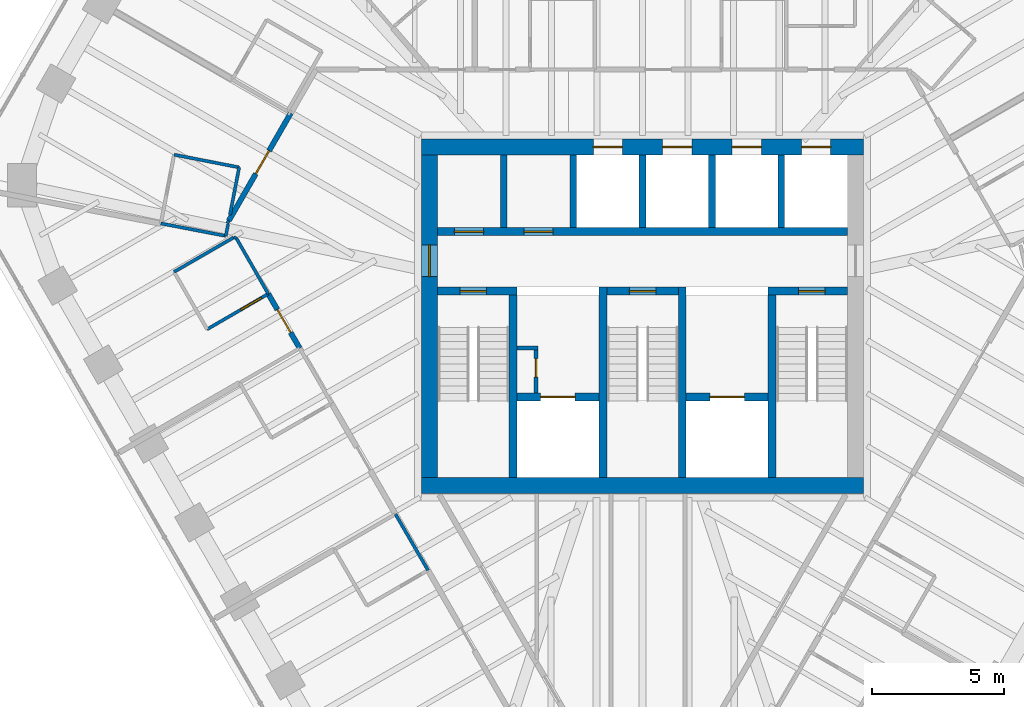
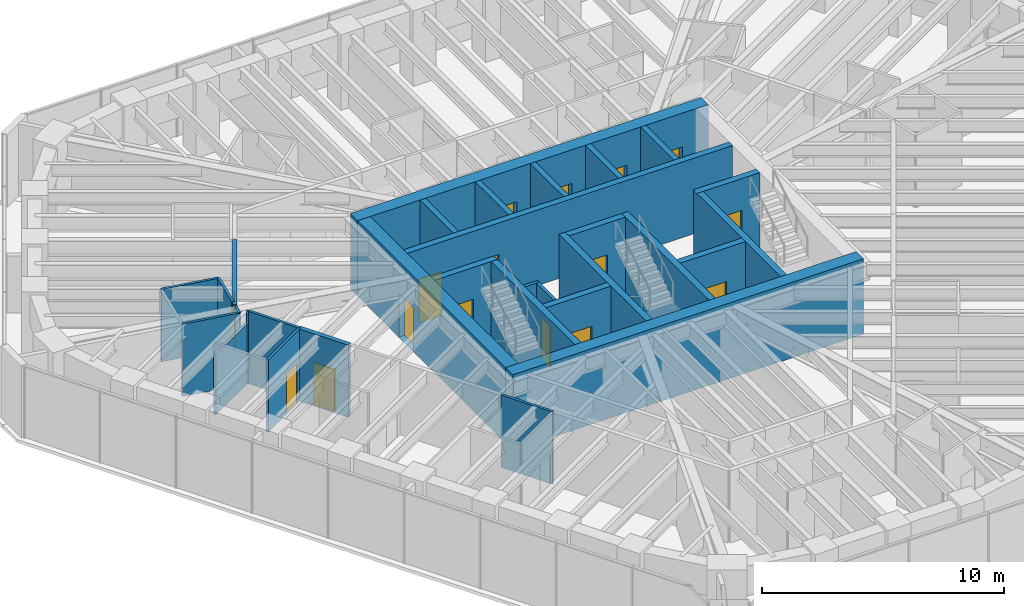
# One storey, part 10 of 14: 32 walls, 16 doors, 16 openings.
"""IFC4 building model written with IfcOpenShell, lengths in metres."""

from ifc_helpers import new_model, si_unit, direction, frame, frame_2d, origin, place, context, subcontext, project, spatial, rectangle, extrude, material, layer, layer_set, type_object, element, fill, save


model = new_model("IFC4")

# Units and contexts
model_context = context("Model", 3, precision=1e-05, world=origin(), true_north=direction((0.0, 1.0)))
body_context = subcontext(model_context, "Body", "Model", "MODEL_VIEW")
ifc_project = project(units=[si_unit("LENGTHUNIT", "METRE"), si_unit("AREAUNIT", "SQUARE_METRE"), si_unit("VOLUMEUNIT", "CUBIC_METRE"), si_unit("PLANEANGLEUNIT", "RADIAN"), si_unit("MASSUNIT", "GRAM", prefix="KILO")], contexts=[model_context])

# Site, building, storey
site_placement = place(None, origin())
site = spatial("IfcSite", under=ifc_project, at=site_placement, CompositionType="ELEMENT")
building_placement = place(site_placement, origin())
building = spatial("IfcBuilding", under=site, at=building_placement, Name="Sandreach Pilgrim Tower", CompositionType="ELEMENT")
storey_placement = place(building_placement, frame((0.0, 0.0, 279.800048828125)))
storey = spatial("IfcBuildingStorey", under=building, at=storey_placement, Name="L70", CompositionType="ELEMENT", Elevation=279.800048828125)

# Wall
ifc_material_1 = material(Name="Moisture-resistant gypsum board on steel studs", Category="steel")
ifc_layer_1 = layer(ifc_material_1, 0.1201171875)
ifc_layer_set_1 = layer_set([ifc_layer_1], Name="Bathroom partition 120")
wall_type_1 = type_object("IfcWallType", Name="Bathroom partition 120", PredefinedType="PARTITIONING", material=ifc_layer_set_1)
wall_1_placement = place(storey_placement, frame((-18.2099609375, 3.510009765625, 0.0), z_axis=(0.0, 0.0, 1.0), x_axis=(0.9820935986, -0.188393639991, 0.0)))
element("IfcWall", 1, at=wall_1_placement, inside=storey, type_object=wall_type_1, Name="Bathroom partition L70-004", PredefinedType="PARTITIONING", context=body_context, shape_type="SweptSolid", body=[
    extrude(rectangle(XDim=2.49462890625, YDim=0.1201171875, at=frame_2d((1.247314453125, 0.0))), origin(), (0.0, 0.0, 1.0), 3.639892578125),
])

# Wall, opening, door
wall_2_placement = place(storey_placement, frame((-16.4599609375, -0.489990234375, 0.0), z_axis=(0.0, 0.0, 1.0), x_axis=(0.86498992408, 0.501789229896, 0.0)))
wall_2 = element("IfcWall", 2, at=wall_2_placement, inside=storey, type_object=wall_type_1, Name="Bathroom partition L70-008", PredefinedType="PARTITIONING", context=body_context, shape_type="SweptSolid", body=[
    extrude(rectangle(XDim=2.670654296875, YDim=0.1201171875, at=frame_2d((1.33544921875, 0.0))), origin(), (0.0, 0.0, 1.0), 3.639892578125),
])
opening_1_placement = place(wall_2_placement, frame((1.470458984375, 0.0, 0.0)))
opening_1 = element("IfcOpeningElement", 3, at=opening_1_placement, cuts=wall_2, Name="Opening D09-14B", PredefinedType="OPENING", context=body_context, shape_type="SweptSolid", body=[
    extrude(rectangle(XDim=0.89990234375, YDim=2.030029296875, at=frame_2d((0.449951171875, 1.01513671875))), frame((0.0, 0.06005859375, 0.0), z_axis=(0.0, -1.0, 0.0), x_axis=(1.0, 0.0, 0.0)), (0.0, 0.0, 1.0), 0.1201171875),
])
ifc_material_2 = material(Name="Timber door, steel frame", Category="steel")
door_type_1 = type_object("IfcDoorType", Name="Bathroom door", OperationType="SINGLE_SWING_LEFT", PredefinedType="DOOR", material=ifc_material_2)
door_1_placement = place(opening_1_placement, origin())
door_1 = element("IfcDoor", 4, at=door_1_placement, inside=storey, type_object=door_type_1, Name="Door 7014B", OperationType="SINGLE_SWING_RIGHT", OverallHeight=2.030029296875, OverallWidth=0.89990234375, PredefinedType="DOOR", context=body_context, shape_type="SweptSolid", body=[
    extrude(rectangle(XDim=0.89990234375, YDim=2.030029296875, at=frame_2d((0.449951171875, 1.01513671875))), frame((0.0, 0.02490234375, 0.0), z_axis=(0.0, -1.0, 0.0), x_axis=(1.0, 0.0, 0.0)), (0.0, 0.0, 1.0), 0.050048828125),
])
fill(opening_1, door_1)

# Walls
wall_3_placement = place(storey_placement, frame((-15.701171875, 3.510498046875, 0.0), z_axis=(0.0, 0.0, 1.0), x_axis=(0.498654097425, 0.86680106779, 0.0)))
element("IfcWall", 5, at=wall_3_placement, inside=storey, type_object=wall_type_1, Name="Bathroom partition L70-010", PredefinedType="PARTITIONING", context=body_context, shape_type="SweptSolid", body=[
    extrude(rectangle(XDim=0.125244140625, YDim=0.1201171875, at=frame_2d((0.0625, 0.0))), origin(), (0.0, 0.0, 1.0), 3.639892578125),
])
wall_4_placement = place(storey_placement, frame((-15.66845703125, 3.48583984375, 0.0), z_axis=(0.0, 0.0, 1.0), x_axis=(-0.18920021221, -0.981938531528, 0.0)))
element("IfcWall", 6, at=wall_4_placement, inside=storey, type_object=wall_type_1, Name="Bathroom partition L70-011", PredefinedType="PARTITIONING", context=body_context, shape_type="SweptSolid", body=[
    extrude(rectangle(XDim=0.4619140625, YDim=0.1201171875, at=frame_2d((0.23095703125, 0.0))), origin(), (0.0, 0.0, 1.0), 3.639892578125),
])
wall_5_placement = place(storey_placement, frame((-15.59912109375, 3.8310546875, 0.0), z_axis=(0.0, 0.0, 1.0), x_axis=(0.190502378828, 0.981686733974, 0.0)))
element("IfcWall", 7, at=wall_5_placement, inside=storey, type_object=wall_type_1, Name="Bathroom partition L70-013", PredefinedType="PARTITIONING", context=body_context, shape_type="SweptSolid", body=[
    extrude(rectangle(XDim=1.83251953125, YDim=0.1201171875, at=frame_2d((0.916259765625, 0.0))), origin(), (0.0, 0.0, 1.0), 3.639892578125),
])
wall_6_placement = place(storey_placement, frame((-15.4599609375, 2.97998046875, 0.0), z_axis=(0.0, 0.0, 1.0), x_axis=(-0.865856933682, -0.500291685314, 0.0)))
element("IfcWall", 8, at=wall_6_placement, inside=storey, type_object=wall_type_1, Name="Bathroom partition L70-015", PredefinedType="PARTITIONING", context=body_context, shape_type="SweptSolid", body=[
    extrude(rectangle(XDim=2.5986328125, YDim=0.1201171875, at=frame_2d((1.29931640625, 0.0))), origin(), (0.0, 0.0, 1.0), 3.0380859375),
])
wall_7_placement = place(storey_placement, frame((-15.4599609375, 2.97998046875, 0.0), z_axis=(0.0, 0.0, 1.0), x_axis=(0.980580675691, -0.196116135138, 0.0)))
element("IfcWall", 9, at=wall_7_placement, inside=storey, type_object=wall_type_1, Name="Bathroom partition L70-016", PredefinedType="PARTITIONING", context=body_context, shape_type="SweptSolid", body=[
    extrude(rectangle(XDim=0.10205078125, YDim=0.1201171875, at=frame_2d((0.051025390625, 0.0))), origin(), (0.0, 0.0, 1.0), 3.639892578125),
])
wall_8_placement = place(storey_placement, frame((-15.360107421875, 2.9599609375, 0.0), z_axis=(0.0, 0.0, 1.0), x_axis=(0.497511007376, -0.867457663255, 0.0)))
element("IfcWall", 10, at=wall_8_placement, inside=storey, type_object=wall_type_1, Name="Bathroom partition L70-017", PredefinedType="PARTITIONING", context=body_context, shape_type="SweptSolid", body=[
    extrude(rectangle(XDim=2.4326171875, YDim=0.1201171875, at=frame_2d((1.21630859375, 0.0))), origin(), (0.0, 0.0, 1.0), 3.639892578125),
])
wall_9_placement = place(storey_placement, frame((-15.25, 5.6298828125, 0.0), z_axis=(0.0, 0.0, 1.0), x_axis=(-0.981473171926, 0.191599615838, 0.0)))
element("IfcWall", 11, at=wall_9_placement, inside=storey, type_object=wall_type_1, Name="Bathroom partition L70-018", PredefinedType="PARTITIONING", context=body_context, shape_type="SweptSolid", body=[
    extrude(rectangle(XDim=2.50634765625, YDim=0.1201171875, at=frame_2d((1.253173828125, 0.0))), origin(), (0.0, 0.0, 1.0), 3.639892578125),
])
wall_10_placement = place(storey_placement, frame((-9.340087890625, -7.47998046875, 0.0), z_axis=(0.0, 0.0, 1.0), x_axis=(0.501813488763, -0.864975850817, 0.0)))
element("IfcWall", 12, at=wall_10_placement, inside=storey, type_object=wall_type_1, Name="Bathroom partition L70-036", PredefinedType="PARTITIONING", context=body_context, shape_type="SweptSolid", body=[
    extrude(rectangle(XDim=2.451171875, YDim=0.1201171875, at=frame_2d((1.2255859375, 0.0))), origin(), (0.0, 0.0, 1.0), 3.639892578125),
])
ifc_material_3 = material(Name="Concrete 10000 psi", Category="concrete")
ifc_layer_2 = layer(ifc_material_3, 0.300048828125)
ifc_layer_set_2 = layer_set([ifc_layer_2], Name="Core inner wall 300")
wall_type_2 = type_object("IfcWallType", Name="Core inner wall 300", PredefinedType="SHEAR", material=ifc_layer_set_2)
for number, where, z_axis, x_axis, name in (
    (13, (-4.89990234375, -6.10009765625, 0.0), (0.0, 0.0, 1.0), (0.0, 1.0, 0.0), "Core wall I0 L70"),
    (14, (-1.5, -6.10009765625, 0.0), (0.0, 0.0, 1.0), (0.0, 1.0, 0.0), "Core wall I1 L70"),
    (15, (1.5, -6.10009765625, 0.0), (0.0, 0.0, 1.0), (0.0, 1.0, 0.0), "Core wall I2 L70"),
    (16, (4.89990234375, -6.10009765625, 0.0), (0.0, 0.0, 1.0), (0.0, 1.0, 0.0), "Core wall I3 L70"),
):
    element("IfcWall", number, at=place(storey_placement, frame(where, z_axis=z_axis, x_axis=x_axis)), inside=storey, type_object=wall_type_2, Name=name, PredefinedType="SHEAR", context=body_context, shape_type="SweptSolid", body=[
        extrude(rectangle(XDim=7.2001953125, YDim=0.300048828125, at=frame_2d((3.60009765625, 0.0))), origin(), (0.0, 0.0, 1.0), 3.800048828125),
    ])

# Wall, opening, door
wall_11_placement = place(storey_placement, frame((-7.75, 0.949951171875, 0.0), z_axis=(0.0, 0.0, 1.0), x_axis=(1.0, 0.0, 0.0)))
wall_11 = element("IfcWall", 17, at=wall_11_placement, inside=storey, type_object=wall_type_2, Name="Core wall SN1 L70", PredefinedType="SHEAR", context=body_context, shape_type="SweptSolid", body=[
    extrude(rectangle(XDim=3.0, YDim=0.300048828125, at=frame_2d((1.5, 0.0))), origin(), (0.0, 0.0, 1.0), 3.800048828125),
])
opening_2_placement = place(wall_11_placement, frame((0.85009765625, 0.0, 0.0)))
opening_2 = element("IfcOpeningElement", 18, at=opening_2_placement, cuts=wall_11, Name="Opening D10S-ST1", PredefinedType="OPENING", context=body_context, shape_type="SweptSolid", body=[
    extrude(rectangle(XDim=1.0, YDim=2.199951171875, at=frame_2d((0.5, 1.10009765625))), frame((0.0, 0.14990234375, 0.0), z_axis=(0.0, -1.0, 0.0), x_axis=(1.0, 0.0, 0.0)), (0.0, 0.0, 1.0), 0.300048828125),
])
ifc_material_4 = material(Name="Steel door and frame", Category="steel")
door_type_2 = type_object("IfcDoorType", Name="Stair door", OperationType="SINGLE_SWING_LEFT", PredefinedType="DOOR", material=ifc_material_4)
door_2_placement = place(opening_2_placement, origin())
door_2 = element("IfcDoor", 19, at=door_2_placement, inside=storey, type_object=door_type_2, Name="Stair door ST1 L70", OperationType="SINGLE_SWING_LEFT", OverallHeight=2.199951171875, OverallWidth=1.0, PredefinedType="DOOR", context=body_context, shape_type="SweptSolid", body=[
    extrude(rectangle(XDim=1.0, YDim=2.199951171875, at=frame_2d((0.5, 1.10009765625))), frame((0.0, 0.02490234375, 0.0), z_axis=(0.0, -1.0, 0.0), x_axis=(1.0, 0.0, 0.0)), (0.0, 0.0, 1.0), 0.050048828125),
])
fill(opening_2, door_2)

wall_12_placement = place(storey_placement, frame((-1.35009765625, 0.949951171875, 0.0), z_axis=(0.0, 0.0, 1.0), x_axis=(1.0, 0.0, 0.0)))
wall_12 = element("IfcWall", 20, at=wall_12_placement, inside=storey, type_object=wall_type_2, Name="Core wall SN3 L70", PredefinedType="SHEAR", context=body_context, shape_type="SweptSolid", body=[
    extrude(rectangle(XDim=2.7001953125, YDim=0.300048828125, at=frame_2d((1.35009765625, 0.0))), origin(), (0.0, 0.0, 1.0), 3.800048828125),
])
opening_3_placement = place(wall_12_placement, frame((0.85009765625, 0.0, 0.0)))
opening_3 = element("IfcOpeningElement", 21, at=opening_3_placement, cuts=wall_12, Name="Opening D10S-ST3", PredefinedType="OPENING", context=body_context, shape_type="SweptSolid", body=[
    extrude(rectangle(XDim=1.0, YDim=2.199951171875, at=frame_2d((0.5, 1.10009765625))), frame((0.0, 0.14990234375, 0.0), z_axis=(0.0, -1.0, 0.0), x_axis=(1.0, 0.0, 0.0)), (0.0, 0.0, 1.0), 0.300048828125),
])
door_3_placement = place(opening_3_placement, origin())
door_3 = element("IfcDoor", 22, at=door_3_placement, inside=storey, type_object=door_type_2, Name="Stair door ST3 L70", OperationType="SINGLE_SWING_LEFT", OverallHeight=2.199951171875, OverallWidth=1.0, PredefinedType="DOOR", context=body_context, shape_type="SweptSolid", body=[
    extrude(rectangle(XDim=1.0, YDim=2.199951171875, at=frame_2d((0.5, 1.10009765625))), frame((0.0, 0.02490234375, 0.0), z_axis=(0.0, -1.0, 0.0), x_axis=(1.0, 0.0, 0.0)), (0.0, 0.0, 1.0), 0.050048828125),
])
fill(opening_3, door_3)

wall_13_placement = place(storey_placement, frame((4.75, 0.949951171875, 0.0), z_axis=(0.0, 0.0, 1.0), x_axis=(1.0, 0.0, 0.0)))
wall_13 = element("IfcWall", 23, at=wall_13_placement, inside=storey, type_object=wall_type_2, Name="Core wall SN2 L70", PredefinedType="SHEAR", context=body_context, shape_type="SweptSolid", body=[
    extrude(rectangle(XDim=3.0, YDim=0.300048828125, at=frame_2d((1.5, 0.0))), origin(), (0.0, 0.0, 1.0), 3.800048828125),
])
opening_4_placement = place(wall_13_placement, frame((1.14990234375, 0.0, 0.0)))
opening_4 = element("IfcOpeningElement", 24, at=opening_4_placement, cuts=wall_13, Name="Opening D10S-ST2", PredefinedType="OPENING", context=body_context, shape_type="SweptSolid", body=[
    extrude(rectangle(XDim=1.0, YDim=2.199951171875, at=frame_2d((0.5, 1.10009765625))), frame((0.0, 0.14990234375, 0.0), z_axis=(0.0, -1.0, 0.0), x_axis=(1.0, 0.0, 0.0)), (0.0, 0.0, 1.0), 0.300048828125),
])
door_4_placement = place(opening_4_placement, origin())
door_4 = element("IfcDoor", 25, at=door_4_placement, inside=storey, type_object=door_type_2, Name="Stair door ST2 L70", OperationType="SINGLE_SWING_RIGHT", OverallHeight=2.199951171875, OverallWidth=1.0, PredefinedType="DOOR", context=body_context, shape_type="SweptSolid", body=[
    extrude(rectangle(XDim=1.0, YDim=2.199951171875, at=frame_2d((0.5, 1.10009765625))), frame((0.0, 0.02490234375, 0.0), z_axis=(0.0, -1.0, 0.0), x_axis=(1.0, 0.0, 0.0)), (0.0, 0.0, 1.0), 0.050048828125),
])
fill(opening_4, door_4)

wall_14_placement = place(storey_placement, frame((-4.75, -3.050048828125, 0.0), z_axis=(0.0, 0.0, 1.0), x_axis=(1.0, 0.0, 0.0)))
wall_14 = element("IfcWall", 26, at=wall_14_placement, inside=storey, type_object=wall_type_2, Name="Core wall FL1 L70", PredefinedType="SHEAR", context=body_context, shape_type="SweptSolid", body=[
    extrude(rectangle(XDim=3.10009765625, YDim=0.300048828125, at=frame_2d((1.550048828125, 0.0))), origin(), (0.0, 0.0, 1.0), 3.800048828125),
])
opening_5_placement = place(wall_14_placement, frame((0.89990234375, 0.0, 0.0)))
opening_5 = element("IfcOpeningElement", 27, at=opening_5_placement, cuts=wall_14, Name="Opening LD13", PredefinedType="OPENING", context=body_context, shape_type="SweptSolid", body=[
    extrude(rectangle(XDim=1.300048828125, YDim=2.10009765625, at=frame_2d((0.64990234375, 1.050048828125))), frame((0.0, 0.14990234375, 0.0), z_axis=(0.0, -1.0, 0.0), x_axis=(1.0, 0.0, 0.0)), (0.0, 0.0, 1.0), 0.300048828125),
])
ifc_material_5 = material(Name="Steel door and frame", Category="steel")
door_type_3 = type_object("IfcDoorType", Name="Fire service lift landing door", OperationType="DOUBLE_DOOR_SLIDING", PredefinedType="DOOR", material=ifc_material_5)
door_5_placement = place(opening_5_placement, origin())
door_5 = element("IfcDoor", 28, at=door_5_placement, inside=storey, type_object=door_type_3, Name="Lift landing door FS1 L70", OperationType="DOUBLE_DOOR_SLIDING", OverallHeight=2.10009765625, OverallWidth=1.300048828125, PredefinedType="DOOR", context=body_context, shape_type="SweptSolid", body=[
    extrude(rectangle(XDim=1.300048828125, YDim=2.10009765625, at=frame_2d((0.64990234375, 1.050048828125))), frame((0.0, 0.02490234375, 0.0), z_axis=(0.0, -1.0, 0.0), x_axis=(1.0, 0.0, 0.0)), (0.0, 0.0, 1.0), 0.050048828125),
])
fill(opening_5, door_5)

wall_15_placement = place(storey_placement, frame((1.64990234375, -3.050048828125, 0.0), z_axis=(0.0, 0.0, 1.0), x_axis=(1.0, 0.0, 0.0)))
wall_15 = element("IfcWall", 29, at=wall_15_placement, inside=storey, type_object=wall_type_2, Name="Core wall FL2 L70", PredefinedType="SHEAR", context=body_context, shape_type="SweptSolid", body=[
    extrude(rectangle(XDim=3.10009765625, YDim=0.300048828125, at=frame_2d((1.550048828125, 0.0))), origin(), (0.0, 0.0, 1.0), 3.800048828125),
])
opening_6_placement = place(wall_15_placement, frame((0.89990234375, 0.0, 0.0)))
opening_6 = element("IfcOpeningElement", 30, at=opening_6_placement, cuts=wall_15, Name="Opening LD13", PredefinedType="OPENING", context=body_context, shape_type="SweptSolid", body=[
    extrude(rectangle(XDim=1.300048828125, YDim=2.10009765625, at=frame_2d((0.64990234375, 1.050048828125))), frame((0.0, 0.14990234375, 0.0), z_axis=(0.0, -1.0, 0.0), x_axis=(1.0, 0.0, 0.0)), (0.0, 0.0, 1.0), 0.300048828125),
])
door_6_placement = place(opening_6_placement, origin())
door_6 = element("IfcDoor", 31, at=door_6_placement, inside=storey, type_object=door_type_3, Name="Lift landing door FS2 L70", OperationType="DOUBLE_DOOR_SLIDING", OverallHeight=2.10009765625, OverallWidth=1.300048828125, PredefinedType="DOOR", context=body_context, shape_type="SweptSolid", body=[
    extrude(rectangle(XDim=1.300048828125, YDim=2.10009765625, at=frame_2d((0.64990234375, 1.050048828125))), frame((0.0, 0.02490234375, 0.0), z_axis=(0.0, -1.0, 0.0), x_axis=(1.0, 0.0, 0.0)), (0.0, 0.0, 1.0), 0.050048828125),
])
fill(opening_6, door_6)

# Wall, openings, doors
wall_16_placement = place(storey_placement, frame((-7.75, 3.199951171875, 0.0), z_axis=(0.0, 0.0, 1.0), x_axis=(1.0, 0.0, 0.0)))
wall_16 = element("IfcWall", 32, at=wall_16_placement, inside=storey, type_object=wall_type_2, Name="Core wall PN L70", PredefinedType="SHEAR", context=body_context, shape_type="SweptSolid", body=[
    extrude(rectangle(XDim=15.5, YDim=0.300048828125, at=frame_2d((7.75, 0.0))), origin(), (0.0, 0.0, 1.0), 3.800048828125),
])
opening_7_placement = place(wall_16_placement, frame((0.637451171875, 0.0, 0.0)))
opening_7 = element("IfcOpeningElement", 33, at=opening_7_placement, cuts=wall_16, Name="Opening D11L", PredefinedType="OPENING", context=body_context, shape_type="SweptSolid", body=[
    extrude(rectangle(XDim=1.10009765625, YDim=2.199951171875, at=frame_2d((0.550048828125, 1.10009765625))), frame((0.0, 0.14990234375, 0.0), z_axis=(0.0, -1.0, 0.0), x_axis=(1.0, 0.0, 0.0)), (0.0, 0.0, 1.0), 0.300048828125),
])
opening_8_placement = place(wall_16_placement, frame((3.262451171875, 0.0, 0.0)))
opening_8 = element("IfcOpeningElement", 34, at=opening_8_placement, cuts=wall_16, Name="Opening D11L", PredefinedType="OPENING", context=body_context, shape_type="SweptSolid", body=[
    extrude(rectangle(XDim=1.10009765625, YDim=2.199951171875, at=frame_2d((0.550048828125, 1.10009765625))), frame((0.0, 0.14990234375, 0.0), z_axis=(0.0, -1.0, 0.0), x_axis=(1.0, 0.0, 0.0)), (0.0, 0.0, 1.0), 0.300048828125),
])
ifc_material_6 = material(Name="Steel door and frame, smoke seals", Category="steel")
door_type_4 = type_object("IfcDoorType", Name="Core room door", OperationType="SINGLE_SWING_LEFT", PredefinedType="DOOR", material=ifc_material_6)
door_7_placement = place(opening_7_placement, origin())
door_7 = element("IfcDoor", 35, at=door_7_placement, inside=storey, type_object=door_type_4, Name="Door butler pantry 70K1", OperationType="SINGLE_SWING_LEFT", OverallHeight=2.199951171875, OverallWidth=1.10009765625, PredefinedType="DOOR", context=body_context, shape_type="SweptSolid", body=[
    extrude(rectangle(XDim=1.10009765625, YDim=2.199951171875, at=frame_2d((0.550048828125, 1.10009765625))), frame((0.0, 0.02490234375, 0.0), z_axis=(0.0, -1.0, 0.0), x_axis=(1.0, 0.0, 0.0)), (0.0, 0.0, 1.0), 0.050048828125),
])
fill(opening_7, door_7)
door_8_placement = place(opening_8_placement, origin())
door_8 = element("IfcDoor", 36, at=door_8_placement, inside=storey, type_object=door_type_4, Name="Door storage room 70K2", OperationType="SINGLE_SWING_LEFT", OverallHeight=2.199951171875, OverallWidth=1.10009765625, PredefinedType="DOOR", context=body_context, shape_type="SweptSolid", body=[
    extrude(rectangle(XDim=1.10009765625, YDim=2.199951171875, at=frame_2d((0.550048828125, 1.10009765625))), frame((0.0, 0.02490234375, 0.0), z_axis=(0.0, -1.0, 0.0), x_axis=(1.0, 0.0, 0.0)), (0.0, 0.0, 1.0), 0.050048828125),
])
fill(opening_8, door_8)

ifc_material_7 = material(Name="Concrete 10000 psi", Category="concrete")
ifc_layer_3 = layer(ifc_material_7, 0.60009765625)
ifc_layer_set_3 = layer_set([ifc_layer_3], Name="Core wall 600")
wall_type_3 = type_object("IfcWallType", Name="Core wall 600", PredefinedType="SHEAR", material=ifc_layer_set_3)
wall_17_placement = place(storey_placement, frame((-8.35009765625, 6.39990234375, 0.0), z_axis=(0.0, 0.0, 1.0), x_axis=(1.0, 0.0, 0.0)))
wall_17 = element("IfcWall", 37, at=wall_17_placement, inside=storey, type_object=wall_type_3, Name="Core wall N L70", PredefinedType="SHEAR", context=body_context, shape_type="SweptSolid", body=[
    extrude(rectangle(XDim=16.7001953125, YDim=0.60009765625, at=frame_2d((8.35009765625, 0.0))), origin(), (0.0, 0.0, 1.0), 3.800048828125),
])
opening_9_placement = place(wall_17_placement, frame((6.487548828125, 0.0, 0.0)))
opening_9 = element("IfcOpeningElement", 38, at=opening_9_placement, cuts=wall_17, Name="Opening LD11", PredefinedType="OPENING", context=body_context, shape_type="SweptSolid", body=[
    extrude(rectangle(XDim=1.10009765625, YDim=2.10009765625, at=frame_2d((0.550048828125, 1.050048828125))), frame((0.0, 0.300048828125, 0.0), z_axis=(0.0, -1.0, 0.0), x_axis=(1.0, 0.0, 0.0)), (0.0, 0.0, 1.0), 0.60009765625),
])
opening_10_placement = place(wall_17_placement, frame((9.112548828125, 0.0, 0.0)))
opening_10 = element("IfcOpeningElement", 39, at=opening_10_placement, cuts=wall_17, Name="Opening LD11", PredefinedType="OPENING", context=body_context, shape_type="SweptSolid", body=[
    extrude(rectangle(XDim=1.10009765625, YDim=2.10009765625, at=frame_2d((0.550048828125, 1.050048828125))), frame((0.0, 0.300048828125, 0.0), z_axis=(0.0, -1.0, 0.0), x_axis=(1.0, 0.0, 0.0)), (0.0, 0.0, 1.0), 0.60009765625),
])
opening_11_placement = place(wall_17_placement, frame((11.737548828125, 0.0, 0.0)))
opening_11 = element("IfcOpeningElement", 40, at=opening_11_placement, cuts=wall_17, Name="Opening LD11", PredefinedType="OPENING", context=body_context, shape_type="SweptSolid", body=[
    extrude(rectangle(XDim=1.10009765625, YDim=2.10009765625, at=frame_2d((0.550048828125, 1.050048828125))), frame((0.0, 0.300048828125, 0.0), z_axis=(0.0, -1.0, 0.0), x_axis=(1.0, 0.0, 0.0)), (0.0, 0.0, 1.0), 0.60009765625),
])
opening_12_placement = place(wall_17_placement, frame((14.362548828125, 0.0, 0.0)))
opening_12 = element("IfcOpeningElement", 41, at=opening_12_placement, cuts=wall_17, Name="Opening LD11", PredefinedType="OPENING", context=body_context, shape_type="SweptSolid", body=[
    extrude(rectangle(XDim=1.10009765625, YDim=2.10009765625, at=frame_2d((0.550048828125, 1.050048828125))), frame((0.0, 0.300048828125, 0.0), z_axis=(0.0, -1.0, 0.0), x_axis=(1.0, 0.0, 0.0)), (0.0, 0.0, 1.0), 0.60009765625),
])
ifc_material_8 = material(Name="Steel door and frame", Category="steel")
door_type_5 = type_object("IfcDoorType", Name="Lift landing door", OperationType="DOUBLE_DOOR_SLIDING", PredefinedType="DOOR", material=ifc_material_8)
door_9_placement = place(opening_9_placement, origin())
door_9 = element("IfcDoor", 42, at=door_9_placement, inside=storey, type_object=door_type_5, Name="Lift landing door Z3A L70", OperationType="DOUBLE_DOOR_SLIDING", OverallHeight=2.10009765625, OverallWidth=1.10009765625, PredefinedType="DOOR", context=body_context, shape_type="SweptSolid", body=[
    extrude(rectangle(XDim=1.10009765625, YDim=2.10009765625, at=frame_2d((0.550048828125, 1.050048828125))), frame((0.0, 0.02490234375, 0.0), z_axis=(0.0, -1.0, 0.0), x_axis=(1.0, 0.0, 0.0)), (0.0, 0.0, 1.0), 0.050048828125),
])
fill(opening_9, door_9)
door_10_placement = place(opening_10_placement, origin())
door_10 = element("IfcDoor", 43, at=door_10_placement, inside=storey, type_object=door_type_5, Name="Lift landing door Z3B L70", OperationType="DOUBLE_DOOR_SLIDING", OverallHeight=2.10009765625, OverallWidth=1.10009765625, PredefinedType="DOOR", context=body_context, shape_type="SweptSolid", body=[
    extrude(rectangle(XDim=1.10009765625, YDim=2.10009765625, at=frame_2d((0.550048828125, 1.050048828125))), frame((0.0, 0.02490234375, 0.0), z_axis=(0.0, -1.0, 0.0), x_axis=(1.0, 0.0, 0.0)), (0.0, 0.0, 1.0), 0.050048828125),
])
fill(opening_10, door_10)
door_11_placement = place(opening_11_placement, origin())
door_11 = element("IfcDoor", 44, at=door_11_placement, inside=storey, type_object=door_type_5, Name="Lift landing door Z3C L70", OperationType="DOUBLE_DOOR_SLIDING", OverallHeight=2.10009765625, OverallWidth=1.10009765625, PredefinedType="DOOR", context=body_context, shape_type="SweptSolid", body=[
    extrude(rectangle(XDim=1.10009765625, YDim=2.10009765625, at=frame_2d((0.550048828125, 1.050048828125))), frame((0.0, 0.02490234375, 0.0), z_axis=(0.0, -1.0, 0.0), x_axis=(1.0, 0.0, 0.0)), (0.0, 0.0, 1.0), 0.050048828125),
])
fill(opening_11, door_11)
door_12_placement = place(opening_12_placement, origin())
door_12 = element("IfcDoor", 45, at=door_12_placement, inside=storey, type_object=door_type_5, Name="Lift landing door Z3D L70", OperationType="DOUBLE_DOOR_SLIDING", OverallHeight=2.10009765625, OverallWidth=1.10009765625, PredefinedType="DOOR", context=body_context, shape_type="SweptSolid", body=[
    extrude(rectangle(XDim=1.10009765625, YDim=2.10009765625, at=frame_2d((0.550048828125, 1.050048828125))), frame((0.0, 0.02490234375, 0.0), z_axis=(0.0, -1.0, 0.0), x_axis=(1.0, 0.0, 0.0)), (0.0, 0.0, 1.0), 0.050048828125),
])
fill(opening_12, door_12)

# Wall
wall_18_placement = place(storey_placement, frame((-8.35009765625, -6.39990234375, 0.0), z_axis=(0.0, 0.0, 1.0), x_axis=(1.0, 0.0, 0.0)))
element("IfcWall", 46, at=wall_18_placement, inside=storey, type_object=wall_type_3, Name="Core wall S L70", PredefinedType="SHEAR", context=body_context, shape_type="SweptSolid", body=[
    extrude(rectangle(XDim=16.7001953125, YDim=0.60009765625, at=frame_2d((8.35009765625, 0.0))), origin(), (0.0, 0.0, 1.0), 3.800048828125),
])

# Wall, opening, door
wall_19_placement = place(storey_placement, frame((-8.050048828125, -6.10009765625, 0.0), z_axis=(0.0, 0.0, 1.0), x_axis=(0.0, 1.0, 0.0)))
wall_19 = element("IfcWall", 47, at=wall_19_placement, inside=storey, type_object=wall_type_3, Name="Core wall W L70", PredefinedType="SHEAR", context=body_context, shape_type="SweptSolid", body=[
    extrude(rectangle(XDim=12.2001953125, YDim=0.60009765625, at=frame_2d((6.10009765625, 0.0))), origin(), (0.0, 0.0, 1.0), 3.800048828125),
])
opening_13_placement = place(wall_19_placement, frame((7.60009765625, 0.0, 0.0)))
opening_13 = element("IfcOpeningElement", 48, at=opening_13_placement, cuts=wall_19, Name="Opening D12F-W", PredefinedType="OPENING", context=body_context, shape_type="SweptSolid", body=[
    extrude(rectangle(XDim=1.199951171875, YDim=2.199951171875, at=frame_2d((0.60009765625, 1.10009765625))), frame((0.0, 0.300048828125, 0.0), z_axis=(0.0, -1.0, 0.0), x_axis=(1.0, 0.0, 0.0)), (0.0, 0.0, 1.0), 0.60009765625),
])
ifc_material_9 = material(Name="Steel door and frame", Category="steel")
door_type_6 = type_object("IfcDoorType", Name="Fire lobby door", OperationType="SINGLE_SWING_LEFT", PredefinedType="DOOR", material=ifc_material_9)
door_13_placement = place(opening_13_placement, origin())
door_13 = element("IfcDoor", 49, at=door_13_placement, inside=storey, type_object=door_type_6, Name="Fire service lobby door W L70", OperationType="SINGLE_SWING_RIGHT", OverallHeight=2.199951171875, OverallWidth=1.199951171875, PredefinedType="DOOR", context=body_context, shape_type="SweptSolid", body=[
    extrude(rectangle(XDim=1.199951171875, YDim=2.199951171875, at=frame_2d((0.60009765625, 1.10009765625))), frame((0.0, 0.02490234375, 0.0), z_axis=(0.0, -1.0, 0.0), x_axis=(1.0, 0.0, 0.0)), (0.0, 0.0, 1.0), 0.050048828125),
])
fill(opening_13, door_13)

ifc_material_10 = material(Name="Gypsum board on steel studs, two layers each side", Category="steel")
ifc_layer_4 = layer(ifc_material_10, 0.199951171875)
ifc_layer_set_4 = layer_set([ifc_layer_4], Name="Corridor wall 200")
wall_type_4 = type_object("IfcWallType", Name="Corridor wall 200", PredefinedType="PARTITIONING", material=ifc_layer_set_4)
wall_20_placement = place(storey_placement, frame((-15.64013671875, 3.619873046875, 0.0), z_axis=(0.0, 0.0, 1.0), x_axis=(0.499361596599, 0.866393672555, 0.0)))
wall_20 = element("IfcWall", 50, at=wall_20_placement, inside=storey, type_object=wall_type_4, Name="Corridor wall L70-012", PredefinedType="PARTITIONING", context=body_context, shape_type="SweptSolid", body=[
    extrude(rectangle(XDim=4.686279296875, YDim=0.199951171875, at=frame_2d((2.34326171875, 0.0))), origin(), (0.0, 0.0, 1.0), 3.639892578125),
])
opening_14_placement = place(wall_20_placement, frame((2.04296875, 0.0, 0.0)))
opening_14 = element("IfcOpeningElement", 51, at=opening_14_placement, cuts=wall_20, Name="Opening D10-15", PredefinedType="OPENING", context=body_context, shape_type="SweptSolid", body=[
    extrude(rectangle(XDim=1.0, YDim=2.1298828125, at=frame_2d((0.5, 1.06494140625))), frame((0.0, 0.10009765625, 0.0), z_axis=(0.0, -1.0, 0.0), x_axis=(1.0, 0.0, 0.0)), (0.0, 0.0, 1.0), 0.199951171875),
])
ifc_material_11 = material(Name="Steel door and frame", Category="steel")
door_type_7 = type_object("IfcDoorType", Name="Guest room entry door", OperationType="SINGLE_SWING_LEFT", PredefinedType="DOOR", material=ifc_material_11)
door_14_placement = place(opening_14_placement, origin())
door_14 = element("IfcDoor", 52, at=door_14_placement, inside=storey, type_object=door_type_7, Name="Door 7015", OperationType="SINGLE_SWING_RIGHT", OverallHeight=2.1298828125, OverallWidth=1.0, PredefinedType="DOOR", context=body_context, shape_type="SweptSolid", body=[
    extrude(rectangle(XDim=1.0, YDim=2.1298828125, at=frame_2d((0.5, 1.06494140625))), frame((0.0, 0.02490234375, 0.0), z_axis=(0.0, -1.0, 0.0), x_axis=(1.0, 0.0, 0.0)), (0.0, 0.0, 1.0), 0.050048828125),
])
fill(opening_14, door_14)

wall_21_placement = place(storey_placement, frame((-14.14990234375, 0.85009765625, 0.0), z_axis=(0.0, 0.0, 1.0), x_axis=(0.500178430292, -0.865922362496, 0.0)))
wall_21 = element("IfcWall", 53, at=wall_21_placement, inside=storey, type_object=wall_type_4, Name="Corridor wall L70-022", PredefinedType="PARTITIONING", context=body_context, shape_type="SweptSolid", body=[
    extrude(rectangle(XDim=2.379150390625, YDim=0.199951171875, at=frame_2d((1.189453125, 0.0))), origin(), (0.0, 0.0, 1.0), 3.639892578125),
])
opening_15_placement = place(wall_21_placement, frame((0.689453125, 0.0, 0.0)))
opening_15 = element("IfcOpeningElement", 54, at=opening_15_placement, cuts=wall_21, Name="Opening D10-14", PredefinedType="OPENING", context=body_context, shape_type="SweptSolid", body=[
    extrude(rectangle(XDim=1.0, YDim=2.1298828125, at=frame_2d((0.5, 1.06494140625))), frame((0.0, 0.10009765625, 0.0), z_axis=(0.0, -1.0, 0.0), x_axis=(1.0, 0.0, 0.0)), (0.0, 0.0, 1.0), 0.199951171875),
])
door_15_placement = place(opening_15_placement, origin())
door_15 = element("IfcDoor", 55, at=door_15_placement, inside=storey, type_object=door_type_7, Name="Door 7014", OperationType="SINGLE_SWING_LEFT", OverallHeight=2.1298828125, OverallWidth=1.0, PredefinedType="DOOR", context=body_context, shape_type="SweptSolid", body=[
    extrude(rectangle(XDim=1.0, YDim=2.1298828125, at=frame_2d((0.5, 1.06494140625))), frame((0.0, 0.02490234375, 0.0), z_axis=(0.0, -1.0, 0.0), x_axis=(1.0, 0.0, 0.0)), (0.0, 0.0, 1.0), 0.050048828125),
])
fill(opening_15, door_15)

ifc_material_12 = material(Name="Gypsum shaft wall on steel studs, shaft liner board", Category="steel")
ifc_layer_5 = layer(ifc_material_12, 0.14990234375)
ifc_layer_set_5 = layer_set([ifc_layer_5], Name="Riser shaft wall 150")
wall_type_5 = type_object("IfcWallType", Name="Riser shaft wall 150", PredefinedType="PARTITIONING", material=ifc_layer_set_5)
wall_22_placement = place(storey_placement, frame((-4.02490234375, -2.89990234375, 0.0), z_axis=(0.0, 0.0, 1.0), x_axis=(0.0, 1.0, 0.0)))
wall_22 = element("IfcWall", 56, at=wall_22_placement, inside=storey, type_object=wall_type_5, Name="Riser partition L70 side", PredefinedType="PARTITIONING", context=body_context, shape_type="SweptSolid", body=[
    extrude(rectangle(XDim=1.77490234375, YDim=0.14990234375, at=frame_2d((0.887451171875, 0.0))), origin(), (0.0, 0.0, 1.0), 3.639892578125),
])
opening_16_placement = place(wall_22_placement, frame((0.60009765625, 0.0, 0.0)))
opening_16 = element("IfcOpeningElement", 57, at=opening_16_placement, cuts=wall_22, Name="Opening D07R", PredefinedType="OPENING", context=body_context, shape_type="SweptSolid", body=[
    extrude(rectangle(XDim=0.699951171875, YDim=2.10009765625, at=frame_2d((0.35009765625, 1.050048828125))), frame((0.0, 0.074951171875, 0.0), z_axis=(0.0, -1.0, 0.0), x_axis=(1.0, 0.0, 0.0)), (0.0, 0.0, 1.0), 0.14990234375),
])
ifc_material_13 = material(Name="Steel door and frame, smoke seals", Category="steel")
door_type_8 = type_object("IfcDoorType", Name="Riser access door", OperationType="SINGLE_SWING_RIGHT", PredefinedType="DOOR", material=ifc_material_13)
door_16_placement = place(opening_16_placement, origin())
door_16 = element("IfcDoor", 58, at=door_16_placement, inside=storey, type_object=door_type_8, Name="Door riser 70ER", OperationType="SINGLE_SWING_RIGHT", OverallHeight=2.10009765625, OverallWidth=0.699951171875, PredefinedType="DOOR", context=body_context, shape_type="SweptSolid", body=[
    extrude(rectangle(XDim=0.699951171875, YDim=2.10009765625, at=frame_2d((0.35009765625, 1.050048828125))), frame((0.0, 0.02490234375, 0.0), z_axis=(0.0, -1.0, 0.0), x_axis=(1.0, 0.0, 0.0)), (0.0, 0.0, 1.0), 0.050048828125),
])
fill(opening_16, door_16)

# Walls
wall_23_placement = place(storey_placement, frame((-4.75, -1.199951171875, 0.0), z_axis=(0.0, 0.0, 1.0), x_axis=(1.0, 0.0, 0.0)))
element("IfcWall", 59, at=wall_23_placement, inside=storey, type_object=wall_type_5, Name="Riser partition L70 front", PredefinedType="PARTITIONING", context=body_context, shape_type="SweptSolid", body=[
    extrude(rectangle(XDim=0.800048828125, YDim=0.14990234375, at=frame_2d((0.39990234375, 0.0))), origin(), (0.0, 0.0, 1.0), 3.639892578125),
])
ifc_material_14 = material(Name="Gypsum shaft wall on steel studs, two layers of shaft liner board", Category="steel")
ifc_layer_6 = layer(ifc_material_14, 0.25)
ifc_layer_set_6 = layer_set([ifc_layer_6], Name="Shaft partition 250")
wall_type_6 = type_object("IfcWallType", Name="Shaft partition 250", PredefinedType="PARTITIONING", material=ifc_layer_set_6)
for number, where, z_axis, x_axis, name in (
    (60, (-5.25, 3.35009765625, 0.0), (0.0, 0.0, 1.0), (0.0, 1.0, 0.0), "Shaft partition NS0 L70"),
    (61, (-2.625, 3.35009765625, 0.0), (0.0, 0.0, 1.0), (0.0, 1.0, 0.0), "Shaft partition NS1 L70"),
    (62, (0.0, 3.35009765625, 0.0), (0.0, 0.0, 1.0), (0.0, 1.0, 0.0), "Shaft partition NS2 L70"),
    (63, (2.625, 3.35009765625, 0.0), (0.0, 0.0, 1.0), (0.0, 1.0, 0.0), "Shaft partition NS3 L70"),
    (64, (5.25, 3.35009765625, 0.0), (0.0, 0.0, 1.0), (0.0, 1.0, 0.0), "Shaft partition NS4 L70"),
):
    element("IfcWall", number, at=place(storey_placement, frame(where, z_axis=z_axis, x_axis=x_axis)), inside=storey, type_object=wall_type_6, Name=name, PredefinedType="PARTITIONING", context=body_context, shape_type="SweptSolid", body=[
        extrude(rectangle(XDim=2.75, YDim=0.25, at=frame_2d((1.375, 0.0))), origin(), (0.0, 0.0, 1.0), 3.800048828125),
    ])

save(model, "model.ifc")
